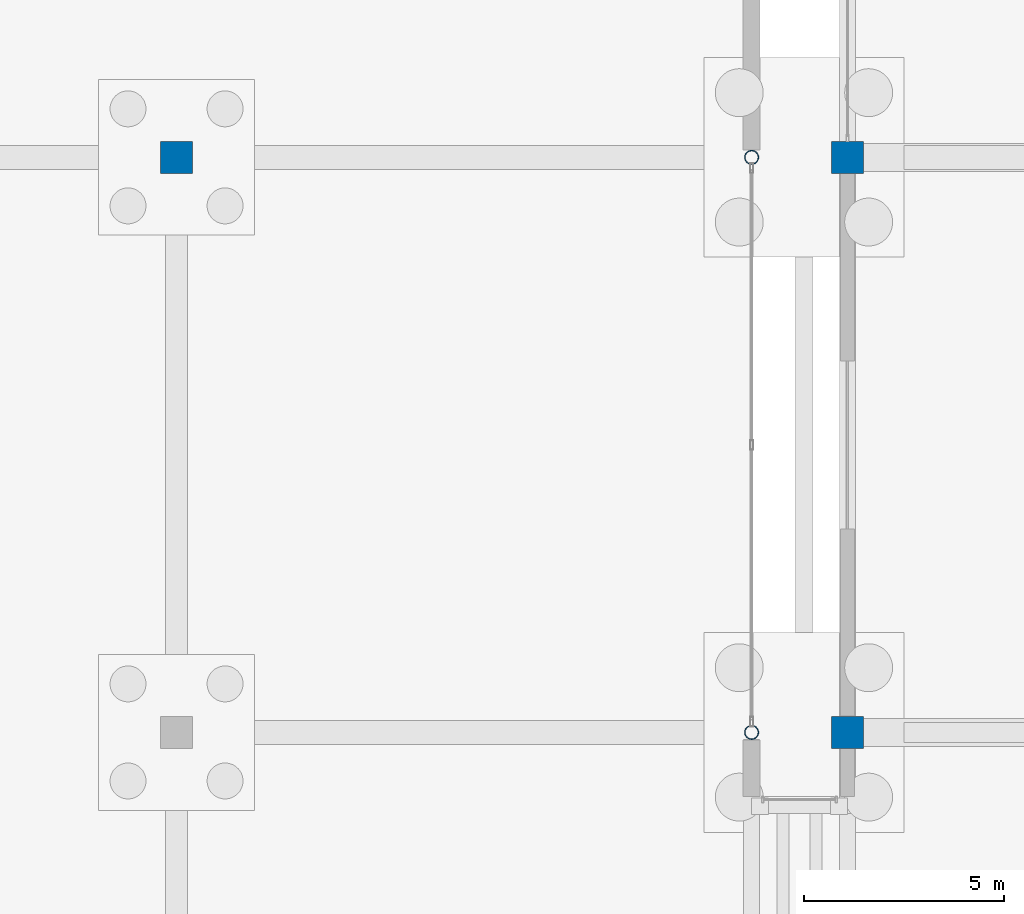
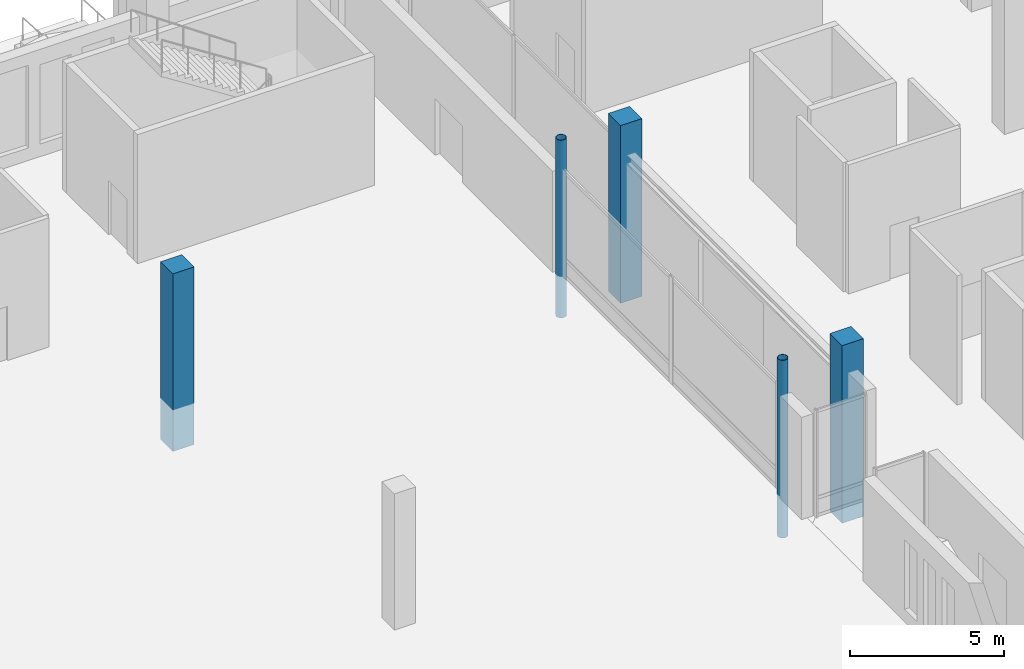
# One storey, part 17 of 192: 5 columns.
"""IFC4 building model written with IfcOpenShell, lengths in metres."""

from ifc_helpers import new_model, si_unit, direction, frame, origin, origin_2d, place, context, subcontext, project, spatial, rectangle, hollow_circle, extrude, material, material_profile, profile_set, type_object, element, save


model = new_model("IFC4")

# Units and contexts
model_context = context("Model", 3, precision=1e-05, world=origin(), true_north=direction((0.0, 1.0)))
body_context = subcontext(model_context, "Body", "Model", "MODEL_VIEW")
ifc_project = project(units=[si_unit("LENGTHUNIT", "METRE"), si_unit("AREAUNIT", "SQUARE_METRE"), si_unit("VOLUMEUNIT", "CUBIC_METRE"), si_unit("PLANEANGLEUNIT", "RADIAN"), si_unit("MASSUNIT", "GRAM", prefix="KILO")], contexts=[model_context])

# Site, building, storey
site_placement = place(None, origin())
site = spatial("IfcSite", under=ifc_project, at=site_placement, CompositionType="ELEMENT")
building_placement = place(site_placement, origin())
building = spatial("IfcBuilding", under=site, at=building_placement, Name="Cendralis Lancet Convention Centre", CompositionType="ELEMENT")
storey_placement = place(building_placement, origin())
storey = spatial("IfcBuildingStorey", under=building, at=storey_placement, Name="L00", CompositionType="ELEMENT", Elevation=0.0)

# Columns
ifc_material_1 = material(Name="Concrete G40 (C40/50)", Category="concrete")
ifc_material_profile_1 = material_profile(ifc_material_1, rectangle(XDim=0.800048828125, YDim=0.800048828125, at=origin_2d()), Name="RC 800x800")
ifc_profile_set_1 = profile_set([ifc_material_profile_1], Name="Concrete G40 (C40/50)")
column_type_1 = type_object("IfcColumnType", Name="STR-COL-C05", PredefinedType="COLUMN", material=ifc_profile_set_1)
for number, where, z_axis, x_axis, name in (
    (1, (124.800048828125, 108.0, -1.64990234375), (0.0, 0.0, 1.0), (1.0, 0.0, 0.0), "L00 Column C05 at 124.8,108.0"),
    (2, (124.800048828125, 122.39990234375, -1.64990234375), (0.0, 0.0, 1.0), (1.0, 0.0, 0.0), "L00 Column C05 at 124.8,122.4"),
):
    element("IfcColumn", number, at=place(storey_placement, frame(where, z_axis=z_axis, x_axis=x_axis)), inside=storey, type_object=column_type_1, Name=name, PredefinedType="COLUMN", context=body_context, shape_type="SweptSolid", body=[
        extrude(rectangle(XDim=0.800048828125, YDim=0.800048828125, at=origin_2d()), origin(), (0.0, 0.0, 1.0), 7.0498046875),
    ])
ifc_material_profile_2 = material_profile(ifc_material_1, rectangle(XDim=0.800048828125, YDim=0.800048828125, at=origin_2d()), Name="RC 800x800")
ifc_profile_set_2 = profile_set([ifc_material_profile_2], Name="Concrete G40 (C40/50)")
column_type_2 = type_object("IfcColumnType", Name="STR-COL-C05-INT", PredefinedType="COLUMN", material=ifc_profile_set_2)
column_placement = place(storey_placement, frame((108.0, 122.39990234375, -1.64990234375), z_axis=(0.0, 0.0, 1.0), x_axis=(1.0, 0.0, 0.0)))
element("IfcColumn", 3, at=column_placement, inside=storey, type_object=column_type_2, Name="L00 Column C05 at 108.0,122.4", PredefinedType="COLUMN", context=body_context, shape_type="SweptSolid", body=[
    extrude(rectangle(XDim=0.800048828125, YDim=0.800048828125, at=origin_2d()), origin(), (0.0, 0.0, 1.0), 7.0498046875),
])
ifc_material_2 = material(Name="Steel S355", Category="steel")
ifc_material_profile_3 = material_profile(ifc_material_2, hollow_circle(Radius=0.177734375, WallThickness=0.01611328125, at=origin_2d()), Name="CHS 355.6x16.0")
ifc_profile_set_3 = profile_set([ifc_material_profile_3], Name="Steel S355")
column_type_3 = type_object("IfcColumnType", Name="STR-COL-C28", PredefinedType="COLUMN", material=ifc_profile_set_3)
for number, where, z_axis, x_axis, name in (
    (4, (122.39990234375, 108.0, -1.64990234375), (0.0, 0.0, 1.0), (1.0, 0.0, 0.0), "L00 Column C28 at 122.4,108.0"),
    (5, (122.39990234375, 122.39990234375, -1.64990234375), (0.0, 0.0, 1.0), (1.0, 0.0, 0.0), "L00 Column C28 at 122.4,122.4"),
):
    element("IfcColumn", number, at=place(storey_placement, frame(where, z_axis=z_axis, x_axis=x_axis)), inside=storey, type_object=column_type_3, Name=name, PredefinedType="COLUMN", context=body_context, shape_type="SweptSolid", body=[
        extrude(hollow_circle(Radius=0.177734375, WallThickness=0.01611328125, at=origin_2d()), origin(), (0.0, 0.0, 1.0), 7.0498046875),
    ])

save(model, "model.ifc")
